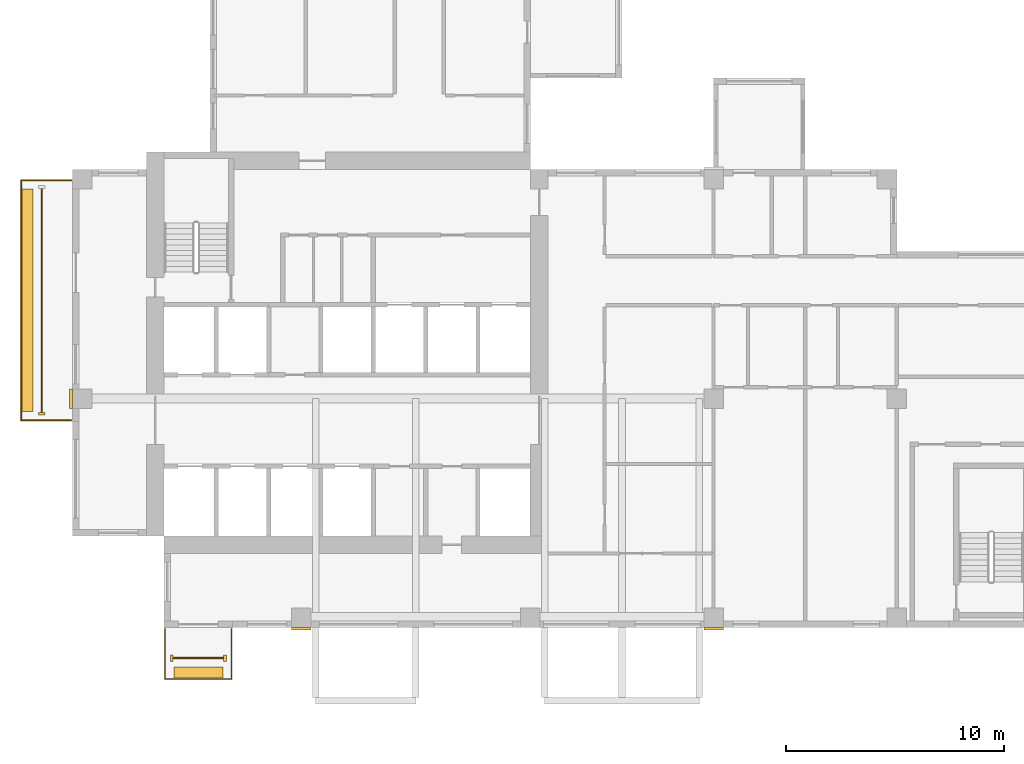
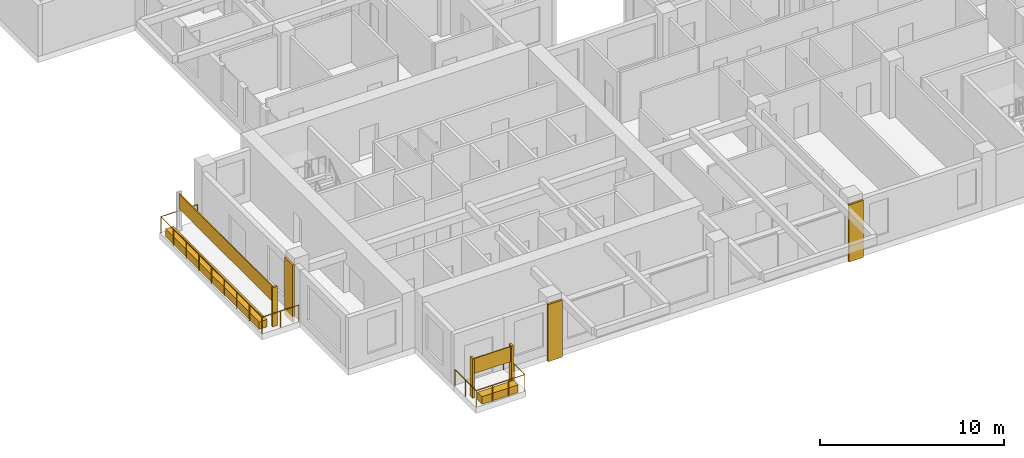
# One storey, part 9 of 12: 10 coverings, 2 railings.
"""IFC4 building model written with IfcOpenShell, lengths in metres."""

from ifc_helpers import new_model, si_unit, direction, frame, origin, origin_2d, place, context, subcontext, project, spatial, rectangle, circle, extrude, source, transform, mapped, material, type_object, element, save


model = new_model("IFC4")

# Units and contexts
model_context = context("Model", 3, precision=1e-05, world=origin(), true_north=direction((0.0, 1.0)))
body_context = subcontext(model_context, "Body", "Model", "MODEL_VIEW")
ifc_project = project(units=[si_unit("LENGTHUNIT", "METRE"), si_unit("AREAUNIT", "SQUARE_METRE"), si_unit("VOLUMEUNIT", "CUBIC_METRE"), si_unit("PLANEANGLEUNIT", "RADIAN"), si_unit("MASSUNIT", "GRAM", prefix="KILO")], contexts=[model_context])

# Site, building, storey
site_placement = place(None, origin())
site = spatial("IfcSite", under=ifc_project, at=site_placement, CompositionType="ELEMENT")
building_placement = place(site_placement, origin())
building = spatial("IfcBuilding", under=site, at=building_placement, Name="Aurelian Terraces", CompositionType="ELEMENT")
storey_placement = place(building_placement, frame((0.0, 0.0, 215.8)))
storey = spatial("IfcBuildingStorey", under=building, at=storey_placement, Name="L48", CompositionType="ELEMENT", Elevation=215.8)

# Coverings
ifc_material_1 = material(Name="Terracotta rainscreen cladding relief", Category="masonry")
covering_type_1 = type_object("IfcCoveringType", Name="FIN-TC", PredefinedType="CLADDING", material=ifc_material_1)
shared_shape_1 = source(origin(), body_context, "Body", "SweptSolid", [
    extrude(rectangle(XDim=0.3, YDim=0.12, at=origin_2d()), origin(), (0.0, 0.0, 1.0), 2.6),
])
covering_1_placement = place(storey_placement, frame((-1.4, 9.8, 0.0), z_axis=(0.0, 0.0, 1.0), x_axis=(1.0, 0.0, 0.0)))
element("IfcCovering", 1, at=covering_1_placement, inside=storey, type_object=covering_type_1, Name="FIN L48 L48-F20-35.2", PredefinedType="CLADDING", context=body_context, shape_type="MappedRepresentation", body=[
    mapped(shared_shape_1, transform((0.0, 0.0, 0.0), scale=1.0)),
])
shared_shape_2 = source(origin(), body_context, "Body", "SweptSolid", [
    extrude(rectangle(XDim=0.12, YDim=0.3, at=origin_2d()), origin(), (0.0, 0.0, 1.0), 2.6),
])
for number, where, z_axis, x_axis, name in (
    (2, (4.55, -1.4, 0.0), (0.0, 0.0, 1.0), (1.0, 0.0, 0.0), "FIN L48 L48-F01-01.1"),
    (3, (7.0, -1.4, 0.0), (0.0, 0.0, 1.0), (1.0, 0.0, 0.0), "FIN L48 L48-F01-01.2"),
):
    element("IfcCovering", number, at=place(storey_placement, frame(where, z_axis=z_axis, x_axis=x_axis)), inside=storey, type_object=covering_type_1, Name=name, PredefinedType="CLADDING", context=body_context, shape_type="MappedRepresentation", body=[
        mapped(shared_shape_2, transform((0.0, 0.0, 0.0), scale=1.0)),
    ])
covering_type_2 = type_object("IfcCoveringType", Name="BAGUETTE-TC", PredefinedType="CLADDING", material=ifc_material_1)
shared_shape_3 = source(origin(), body_context, "Body", "SweptSolid", [
    extrude(rectangle(XDim=0.9, YDim=0.12, at=origin_2d()), origin(), (0.0, 0.0, 1.0), 3.8),
])
for number, where, z_axis, x_axis, name in (
    (4, (10.5, -0.06, -0.4), (0.0, 0.0, 1.0), (1.0, 0.0, 0.0), "BAGUETTE pier L48 1"),
    (5, (29.4, -0.06, -0.4), (0.0, 0.0, 1.0), (1.0, 0.0, 0.0), "BAGUETTE pier L48 2"),
):
    element("IfcCovering", number, at=place(storey_placement, frame(where, z_axis=z_axis, x_axis=x_axis)), inside=storey, type_object=covering_type_2, Name=name, PredefinedType="CLADDING", context=body_context, shape_type="MappedRepresentation", body=[
        mapped(shared_shape_3, transform((0.0, 0.0, 0.0), scale=1.0)),
    ])
shared_shape_4 = source(origin(), body_context, "Body", "SweptSolid", [
    extrude(rectangle(XDim=0.12, YDim=0.9, at=origin_2d()), origin(), (0.0, 0.0, 1.0), 3.8),
])
covering_2_placement = place(storey_placement, frame((-0.06, 10.5, -0.4), z_axis=(0.0, 0.0, 1.0), x_axis=(1.0, 0.0, 0.0)))
element("IfcCovering", 6, at=covering_2_placement, inside=storey, type_object=covering_type_2, Name="BAGUETTE pier L48 4", PredefinedType="CLADDING", context=body_context, shape_type="MappedRepresentation", body=[
    mapped(shared_shape_4, transform((0.0, 0.0, 0.0), scale=1.0)),
])

# Railing
ifc_material_2 = material(Name="Anodised aluminium", Category="aluminium")
railing_type = type_object("IfcRailingType", Name="GUARD-1100", PredefinedType="GUARDRAIL", material=ifc_material_2)
shared_shape_5 = source(origin(), body_context, "Body", "SweptSolid", [
    extrude(circle(Radius=0.024, at=origin_2d()), frame((0.0, 0.0, 1.076), z_axis=(0.0, -1.0, 0.0), x_axis=(1.0, 0.0, 0.0)), (0.0, 0.0, 1.0), 2.3),
    extrude(circle(Radius=0.024, at=origin_2d()), frame((0.0, -2.3, 1.076), z_axis=(1.0, 0.0, 0.0), x_axis=(0.0, 1.0, 0.0)), (0.0, 0.0, 1.0), 3.05),
    extrude(circle(Radius=0.024, at=origin_2d()), frame((3.05, -2.3, 1.076), z_axis=(0.0, 1.0, 0.0), x_axis=(-1.0, 0.0, 0.0)), (0.0, 0.0, 1.0), 2.3),
    extrude(circle(Radius=0.021, at=origin_2d()), origin(), (0.0, 0.0, 1.0), 1.052),
    extrude(circle(Radius=0.021, at=origin_2d()), frame((0.0, -1.15, 0.0)), (0.0, 0.0, 1.0), 1.052),
    extrude(circle(Radius=0.021, at=origin_2d()), frame((0.0, -2.3, 0.0)), (0.0, 0.0, 1.0), 1.052),
    extrude(circle(Radius=0.021, at=origin_2d()), frame((1.0167, -2.3, 0.0)), (0.0, 0.0, 1.0), 1.052),
    extrude(circle(Radius=0.021, at=origin_2d()), frame((2.0333, -2.3, 0.0)), (0.0, 0.0, 1.0), 1.052),
    extrude(circle(Radius=0.021, at=origin_2d()), frame((3.05, -2.3, 0.0)), (0.0, 0.0, 1.0), 1.052),
    extrude(circle(Radius=0.021, at=origin_2d()), frame((3.05, -1.15, 0.0)), (0.0, 0.0, 1.0), 1.052),
    extrude(circle(Radius=0.021, at=origin_2d()), frame((3.05, 0.0, 0.0)), (0.0, 0.0, 1.0), 1.052),
])
railing_1_placement = place(storey_placement, frame((4.25, -0.05, 0.0)))
element("IfcRailing", 7, at=railing_1_placement, inside=storey, type_object=railing_type, Name="Balcony guard L48 F01.1", PredefinedType="GUARDRAIL", context=body_context, shape_type="MappedRepresentation", body=[
    mapped(shared_shape_5, transform((0.0, 0.0, 0.0), scale=1.0)),
])

# Coverings
ifc_material_3 = material(Name="Terracotta planter with planting soil", Category="masonry")
covering_type_3 = type_object("IfcCoveringType", Name="PLANTER-TROUGH", PredefinedType="USERDEFINED", material=ifc_material_3)
shared_shape_6 = source(origin(), body_context, "Body", "SweptSolid", [
    extrude(rectangle(XDim=2.25, YDim=0.5, at=origin_2d()), origin(), (0.0, 0.0, 1.0), 0.5),
])
covering_3_placement = place(storey_placement, frame((5.775, -2.05, 0.0), z_axis=(0.0, 0.0, 1.0), x_axis=(1.0, 0.0, 0.0)))
element("IfcCovering", 8, at=covering_3_placement, inside=storey, type_object=covering_type_3, Name="PLANTER L48 L48-F01-01", ObjectType="PLANTER", PredefinedType="USERDEFINED", context=body_context, shape_type="MappedRepresentation", body=[
    mapped(shared_shape_6, transform((0.0, 0.0, 0.0), scale=1.0)),
])
ifc_material_4 = material(Name="Terracotta rainscreen cladding", Category="masonry")
covering_type_4 = type_object("IfcCoveringType", Name="SCREEN-TC", PredefinedType="CLADDING", material=ifc_material_4)
shared_shape_7 = source(origin(), body_context, "Body", "SweptSolid", [
    extrude(rectangle(XDim=2.33, YDim=0.06, at=origin_2d()), origin(), (0.0, 0.0, 1.0), 1.0),
])
covering_4_placement = place(storey_placement, frame((5.775, -1.4, 1.5), z_axis=(0.0, 0.0, 1.0), x_axis=(1.0, 0.0, 0.0)))
element("IfcCovering", 9, at=covering_4_placement, inside=storey, type_object=covering_type_4, Name="SCREEN L48 L48-F01-01", PredefinedType="CLADDING", context=body_context, shape_type="MappedRepresentation", body=[
    mapped(shared_shape_7, transform((0.0, 0.0, 0.0), scale=1.0)),
])

# Railing
shared_shape_8 = source(origin(), body_context, "Body", "SweptSolid", [
    extrude(circle(Radius=0.024, at=origin_2d()), frame((0.0, 0.0, 1.076), z_axis=(-1.0, 0.0, 0.0), x_axis=(0.0, -1.0, 0.0)), (0.0, 0.0, 1.0), 2.3),
    extrude(circle(Radius=0.024, at=origin_2d()), frame((-2.3, 0.0, 1.076), z_axis=(0.0, -1.0, 0.0), x_axis=(1.0, 0.0, 0.0)), (0.0, 0.0, 1.0), 11.0),
    extrude(circle(Radius=0.024, at=origin_2d()), frame((-2.3, -11.0, 1.076), z_axis=(1.0, 0.0, 0.0), x_axis=(0.0, 1.0, 0.0)), (0.0, 0.0, 1.0), 2.3),
    extrude(circle(Radius=0.021, at=origin_2d()), origin(), (0.0, 0.0, 1.0), 1.052),
    extrude(circle(Radius=0.021, at=origin_2d()), frame((-1.15, 0.0, 0.0)), (0.0, 0.0, 1.0), 1.052),
    extrude(circle(Radius=0.021, at=origin_2d()), frame((-2.3, 0.0, 0.0)), (0.0, 0.0, 1.0), 1.052),
    extrude(circle(Radius=0.021, at=origin_2d()), frame((-2.3, -1.375, 0.0)), (0.0, 0.0, 1.0), 1.052),
    extrude(circle(Radius=0.021, at=origin_2d()), frame((-2.3, -2.75, 0.0)), (0.0, 0.0, 1.0), 1.052),
    extrude(circle(Radius=0.021, at=origin_2d()), frame((-2.3, -4.125, 0.0)), (0.0, 0.0, 1.0), 1.052),
    extrude(circle(Radius=0.021, at=origin_2d()), frame((-2.3, -5.5, 0.0)), (0.0, 0.0, 1.0), 1.052),
    extrude(circle(Radius=0.021, at=origin_2d()), frame((-2.3, -6.875, 0.0)), (0.0, 0.0, 1.0), 1.052),
    extrude(circle(Radius=0.021, at=origin_2d()), frame((-2.3, -8.25, 0.0)), (0.0, 0.0, 1.0), 1.052),
    extrude(circle(Radius=0.021, at=origin_2d()), frame((-2.3, -9.625, 0.0)), (0.0, 0.0, 1.0), 1.052),
    extrude(circle(Radius=0.021, at=origin_2d()), frame((-2.3, -11.0, 0.0)), (0.0, 0.0, 1.0), 1.052),
    extrude(circle(Radius=0.021, at=origin_2d()), frame((-1.15, -11.0, 0.0)), (0.0, 0.0, 1.0), 1.052),
    extrude(circle(Radius=0.021, at=origin_2d()), frame((0.0, -11.0, 0.0)), (0.0, 0.0, 1.0), 1.052),
])
railing_2_placement = place(storey_placement, frame((-0.05, 20.5, 0.0)))
element("IfcRailing", 10, at=railing_2_placement, inside=storey, type_object=railing_type, Name="Balcony guard L48 F20.35", PredefinedType="GUARDRAIL", context=body_context, shape_type="MappedRepresentation", body=[
    mapped(shared_shape_8, transform((0.0, 0.0, 0.0), scale=1.0)),
])

# Coverings
shared_shape_9 = source(origin(), body_context, "Body", "SweptSolid", [
    extrude(rectangle(XDim=0.5, YDim=10.2, at=origin_2d()), origin(), (0.0, 0.0, 1.0), 0.5),
])
covering_5_placement = place(storey_placement, frame((-2.05, 15.0, 0.0), z_axis=(0.0, 0.0, 1.0), x_axis=(1.0, 0.0, 0.0)))
element("IfcCovering", 11, at=covering_5_placement, inside=storey, type_object=covering_type_3, Name="PLANTER L48 L48-F20-35", ObjectType="PLANTER", PredefinedType="USERDEFINED", context=body_context, shape_type="MappedRepresentation", body=[
    mapped(shared_shape_9, transform((0.0, 0.0, 0.0), scale=1.0)),
])
shared_shape_10 = source(origin(), body_context, "Body", "SweptSolid", [
    extrude(rectangle(XDim=0.06, YDim=10.28, at=origin_2d()), origin(), (0.0, 0.0, 1.0), 1.0),
])
covering_6_placement = place(storey_placement, frame((-1.4, 15.0, 1.5), z_axis=(0.0, 0.0, 1.0), x_axis=(1.0, 0.0, 0.0)))
element("IfcCovering", 12, at=covering_6_placement, inside=storey, type_object=covering_type_4, Name="SCREEN L48 L48-F20-35", PredefinedType="CLADDING", context=body_context, shape_type="MappedRepresentation", body=[
    mapped(shared_shape_10, transform((0.0, 0.0, 0.0), scale=1.0)),
])

save(model, "model.ifc")
